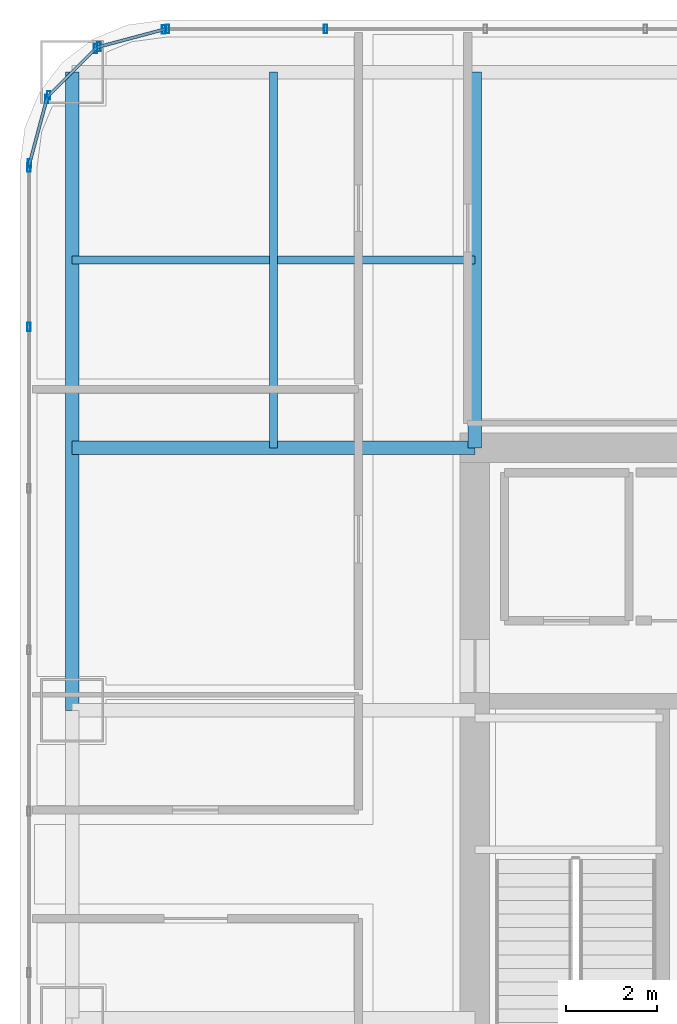
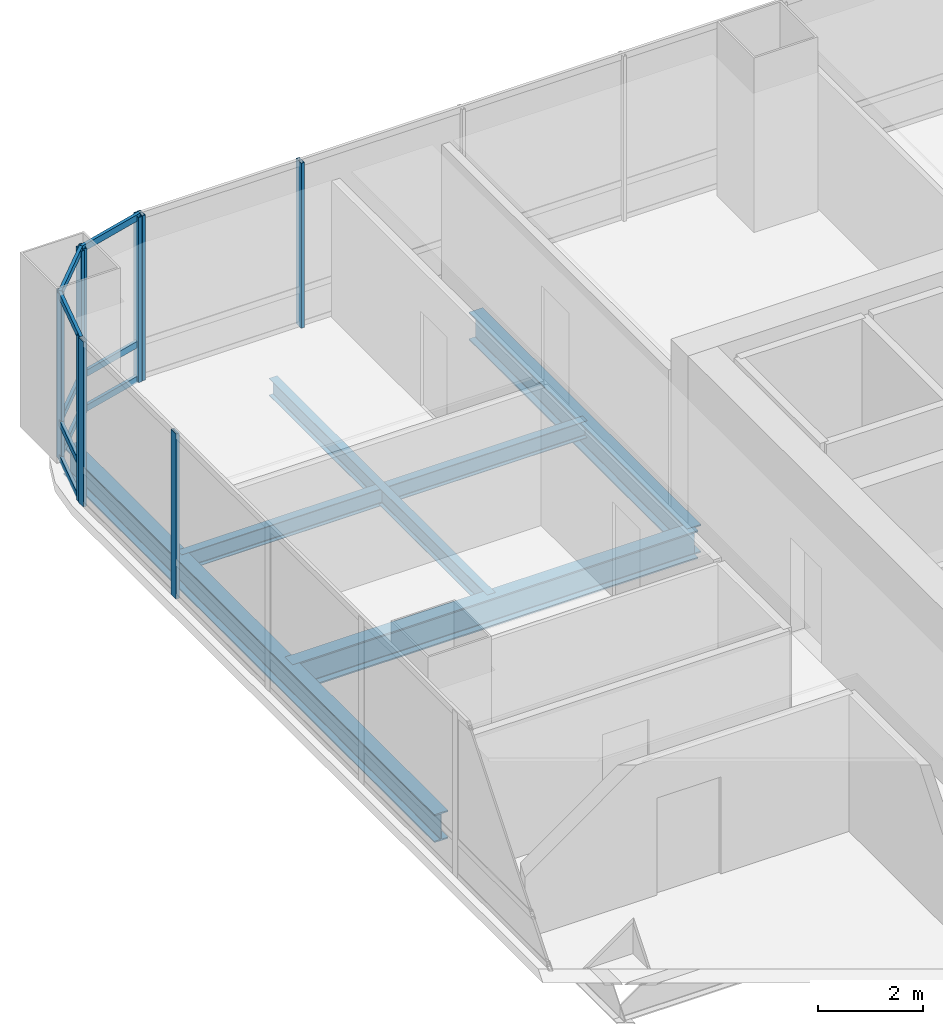
# One storey, part 20 of 36: 19 members, 5 beams, 5 elements without a shape of their own.
"""IFC4 building model written with IfcOpenShell, lengths in metres."""

from ifc_helpers import new_model, si_unit, direction, frame, origin, origin_2d, place, context, subcontext, project, spatial, hollow_rectangle, i_section, extrude, material, material_profile, profile_set, type_object, element, aggregate, save


model = new_model("IFC4")

# Units and contexts
model_context = context("Model", 3, precision=1e-05, world=origin(), true_north=direction((0.0, 1.0)))
body_context = subcontext(model_context, "Body", "Model", "MODEL_VIEW")
ifc_project = project(units=[si_unit("LENGTHUNIT", "METRE"), si_unit("AREAUNIT", "SQUARE_METRE"), si_unit("VOLUMEUNIT", "CUBIC_METRE"), si_unit("PLANEANGLEUNIT", "RADIAN"), si_unit("MASSUNIT", "GRAM", prefix="KILO")], contexts=[model_context])

# Site, building, storey
site_placement = place(None, origin())
site = spatial("IfcSite", under=ifc_project, at=site_placement, CompositionType="ELEMENT")
building_placement = place(site_placement, origin())
building = spatial("IfcBuilding", under=site, at=building_placement, Name="Punatoya Terracotta Tower", CompositionType="ELEMENT")
storey_placement = place(building_placement, frame((0.0, 0.0, 212.699951171875)))
storey = spatial("IfcBuildingStorey", under=building, at=storey_placement, Name="L50", CompositionType="ELEMENT", Elevation=212.699951171875)

# Beams
ifc_material_1 = material(Name="Steel S355", Category="steel")
ifc_material_profile_1 = material_profile(ifc_material_1, i_section(OverallWidth=0.300048828125, OverallDepth=0.64990234375, WebThickness=0.01611328125, FlangeThickness=0.031005859375, FilletRadius=0.01806640625, at=origin_2d()))
ifc_profile_set_1 = profile_set([ifc_material_profile_1], Name="Steel S355")
beam_type_1 = type_object("IfcBeamType", Name="BM-PRI-650", PredefinedType="BEAM", material=ifc_profile_set_1)
beam_1_placement = place(storey_placement, frame((-19.10009765625, 3.39990234375, -0.544921875), z_axis=(0.0, 1.0, 0.0), x_axis=(-1.0, 0.0, 0.0)))
element("IfcBeam", 1, at=beam_1_placement, inside=storey, type_object=beam_type_1, Name="BM-L50-RG-W3", PredefinedType="BEAM", context=body_context, shape_type="SweptSolid", body=[
    extrude(i_section(OverallWidth=0.300048828125, OverallDepth=0.64990234375, WebThickness=0.01611328125, FlangeThickness=0.031005859375, FilletRadius=0.01806640625, at=origin_2d()), origin(), (0.0, 0.0, 1.0), 14.10009765625),
])
beam_2_placement = place(storey_placement, frame((-19.10009765625, 9.199951171875, -0.544921875), z_axis=(1.0, 0.0, 0.0), x_axis=(0.0, 1.0, 0.0)))
element("IfcBeam", 2, at=beam_2_placement, inside=storey, type_object=beam_type_1, Name="BM-L50-PR-WN", PredefinedType="BEAM", context=body_context, shape_type="SweptSolid", body=[
    extrude(i_section(OverallWidth=0.300048828125, OverallDepth=0.64990234375, WebThickness=0.01611328125, FlangeThickness=0.031005859375, FilletRadius=0.01806640625, at=origin_2d()), origin(), (0.0, 0.0, 1.0), 8.900146484375),
])
beam_3_placement = place(storey_placement, frame((-10.199951171875, 9.199951171875, -0.544921875), z_axis=(0.0, 1.0, 0.0), x_axis=(-1.0, 0.0, 0.0)))
element("IfcBeam", 3, at=beam_3_placement, inside=storey, type_object=beam_type_1, Name="BM-L50-PR-N1", PredefinedType="BEAM", context=body_context, shape_type="SweptSolid", body=[
    extrude(i_section(OverallWidth=0.300048828125, OverallDepth=0.64990234375, WebThickness=0.01611328125, FlangeThickness=0.031005859375, FilletRadius=0.01806640625, at=origin_2d()), origin(), (0.0, 0.0, 1.0), 8.300048828125),
])
ifc_material_profile_2 = material_profile(ifc_material_1, i_section(OverallWidth=0.179931640625, OverallDepth=0.39990234375, WebThickness=0.008544921875, FlangeThickness=0.013427734375, FilletRadius=0.01806640625, at=origin_2d()))
ifc_profile_set_2 = profile_set([ifc_material_profile_2], Name="Steel S355")
beam_type_2 = type_object("IfcBeamType", Name="BM-SEC-400", PredefinedType="JOIST", material=ifc_profile_set_2)
beam_4_placement = place(storey_placement, frame((-19.10009765625, 13.35009765625, -0.419921875), z_axis=(1.0, 0.0, 0.0), x_axis=(0.0, 1.0, 0.0)))
element("IfcBeam", 4, at=beam_4_placement, inside=storey, type_object=beam_type_2, Name="BM-L50-SJN-1", PredefinedType="JOIST", context=body_context, shape_type="SweptSolid", body=[
    extrude(i_section(OverallWidth=0.179931640625, OverallDepth=0.39990234375, WebThickness=0.008544921875, FlangeThickness=0.013427734375, FilletRadius=0.01806640625, at=origin_2d()), origin(), (0.0, 0.0, 1.0), 8.900146484375),
])
beam_5_placement = place(storey_placement, frame((-14.64990234375, 9.199951171875, -0.419921875), z_axis=(0.0, 1.0, 0.0), x_axis=(-1.0, 0.0, 0.0)))
element("IfcBeam", 5, at=beam_5_placement, inside=storey, type_object=beam_type_2, Name="BM-L50-SJW-2", PredefinedType="JOIST", context=body_context, shape_type="SweptSolid", body=[
    extrude(i_section(OverallWidth=0.179931640625, OverallDepth=0.39990234375, WebThickness=0.008544921875, FlangeThickness=0.013427734375, FilletRadius=0.01806640625, at=origin_2d()), origin(), (0.0, 0.0, 1.0), 8.300048828125),
])

# Curtain wall, members
ifc_material_2 = material(Name="Aluminium 6063-T6 + Double Low-E Glass", Category="aluminium")
curtain_wall_type = type_object("IfcCurtainWallType", Name="CW-M2", PredefinedType="NOTDEFINED", material=ifc_material_2)
curtain_wall_1_placement = place(storey_placement, origin())
curtain_wall_1 = element("IfcCurtainWall", 6, at=curtain_wall_1_placement, inside=storey, type_object=curtain_wall_type, Name="L50 Curtain Wall CW-L50-N09-1", PredefinedType="NOTDEFINED")
ifc_material_3 = material(Name="Aluminium 6063-T6", Category="aluminium")
ifc_material_profile_3 = material_profile(ifc_material_3, hollow_rectangle(XDim=0.072021484375, YDim=0.195068359375, WallThickness=0.00439453125, at=origin_2d()))
ifc_profile_set_3 = profile_set([ifc_material_profile_3], Name="Aluminium 6063-T6")
member_type_1 = type_object("IfcMemberType", Name="CW-MUL-M2", PredefinedType="MULLION", material=ifc_profile_set_3)
member_1_placement = place(storey_placement, frame((-13.5029296875, 18.449951171875, 0.0), z_axis=(0.0, 0.0, 1.0), x_axis=(1.0, 0.0, 0.0)))
member_1 = element("IfcMember", 7, at=member_1_placement, type_object=member_type_1, Name="CW-L50-N09-1 Mullion 10", PredefinedType="MULLION", context=body_context, shape_type="SweptSolid", body=[
    extrude(hollow_rectangle(XDim=0.072021484375, YDim=0.195068359375, WallThickness=0.00439453125, at=origin_2d()), origin(), (0.0, 0.0, 1.0), 3.830078125),
])
member_2_placement = place(storey_placement, frame((-16.991943359375, 18.449951171875, 0.0), z_axis=(0.0, 0.0, 1.0), x_axis=(1.0, 0.0, 0.0)))
member_2 = element("IfcMember", 8, at=member_2_placement, type_object=member_type_1, Name="CW-L50-N09-1 Mullion 11", PredefinedType="MULLION", context=body_context, shape_type="SweptSolid", body=[
    extrude(hollow_rectangle(XDim=0.072021484375, YDim=0.195068359375, WallThickness=0.00439453125, at=origin_2d()), origin(), (0.0, 0.0, 1.0), 3.830078125),
])
aggregate(curtain_wall_1, [member_1, member_2])

curtain_wall_2_placement = place(storey_placement, origin())
curtain_wall_2 = element("IfcCurtainWall", 9, at=curtain_wall_2_placement, inside=storey, type_object=curtain_wall_type, Name="L50 Curtain Wall CW-L50-CRN10", PredefinedType="NOTDEFINED")
member_3_placement = place(storey_placement, frame((-17.080322265625, 18.4384765625, 0.0), z_axis=(0.0, 0.0, 1.0), x_axis=(1.0, 0.0, 0.0)))
member_3 = element("IfcMember", 10, at=member_3_placement, type_object=member_type_1, Name="CW-L50-CRN10 Mullion 00", PredefinedType="MULLION", context=body_context, shape_type="SweptSolid", body=[
    extrude(hollow_rectangle(XDim=0.072021484375, YDim=0.195068359375, WallThickness=0.00439453125, at=origin_2d()), origin(), (0.0, 0.0, 1.0), 3.830078125),
])
member_4_placement = place(storey_placement, frame((-18.505615234375, 18.05810546875, 0.0), z_axis=(0.0, 0.0, 1.0), x_axis=(1.0, 0.0, 0.0)))
member_4 = element("IfcMember", 11, at=member_4_placement, type_object=member_type_1, Name="CW-L50-CRN10 Mullion 01", PredefinedType="MULLION", context=body_context, shape_type="SweptSolid", body=[
    extrude(hollow_rectangle(XDim=0.072021484375, YDim=0.195068359375, WallThickness=0.00439453125, at=origin_2d()), origin(), (0.0, 0.0, 1.0), 3.830078125),
])

curtain_wall_3_placement = place(storey_placement, origin())
curtain_wall_3 = element("IfcCurtainWall", 12, at=curtain_wall_3_placement, inside=storey, type_object=curtain_wall_type, Name="L50 Curtain Wall CW-L50-CRN11", PredefinedType="NOTDEFINED")
member_5_placement = place(storey_placement, frame((-18.580810546875, 18.014892578125, 0.0), z_axis=(0.0, 0.0, 1.0), x_axis=(1.0, 0.0, 0.0)))
member_5 = element("IfcMember", 13, at=member_5_placement, type_object=member_type_1, Name="CW-L50-CRN11 Mullion 00", PredefinedType="MULLION", context=body_context, shape_type="SweptSolid", body=[
    extrude(hollow_rectangle(XDim=0.072021484375, YDim=0.195068359375, WallThickness=0.00439453125, at=origin_2d()), origin(), (0.0, 0.0, 1.0), 3.830078125),
])
member_6_placement = place(storey_placement, frame((-19.61474609375, 16.98095703125, 0.0), z_axis=(0.0, 0.0, 1.0), x_axis=(1.0, 0.0, 0.0)))
member_6 = element("IfcMember", 14, at=member_6_placement, type_object=member_type_1, Name="CW-L50-CRN11 Mullion 01", PredefinedType="MULLION", context=body_context, shape_type="SweptSolid", body=[
    extrude(hollow_rectangle(XDim=0.072021484375, YDim=0.195068359375, WallThickness=0.00439453125, at=origin_2d()), origin(), (0.0, 0.0, 1.0), 3.830078125),
])

curtain_wall_4_placement = place(storey_placement, origin())
curtain_wall_4 = element("IfcCurtainWall", 15, at=curtain_wall_4_placement, inside=storey, type_object=curtain_wall_type, Name="L50 Curtain Wall CW-L50-CRN12", PredefinedType="NOTDEFINED")
member_7_placement = place(storey_placement, frame((-19.658203125, 16.905517578125, 0.0), z_axis=(0.0, 0.0, 1.0), x_axis=(1.0, 0.0, 0.0)))
member_7 = element("IfcMember", 16, at=member_7_placement, type_object=member_type_1, Name="CW-L50-CRN12 Mullion 00", PredefinedType="MULLION", context=body_context, shape_type="SweptSolid", body=[
    extrude(hollow_rectangle(XDim=0.072021484375, YDim=0.195068359375, WallThickness=0.00439453125, at=origin_2d()), origin(), (0.0, 0.0, 1.0), 3.830078125),
])
member_8_placement = place(storey_placement, frame((-20.038330078125, 15.48046875, 0.0), z_axis=(0.0, 0.0, 1.0), x_axis=(1.0, 0.0, 0.0)))
member_8 = element("IfcMember", 17, at=member_8_placement, type_object=member_type_1, Name="CW-L50-CRN12 Mullion 01", PredefinedType="MULLION", context=body_context, shape_type="SweptSolid", body=[
    extrude(hollow_rectangle(XDim=0.072021484375, YDim=0.195068359375, WallThickness=0.00439453125, at=origin_2d()), origin(), (0.0, 0.0, 1.0), 3.830078125),
])

curtain_wall_5_placement = place(storey_placement, origin())
curtain_wall_5 = element("IfcCurtainWall", 18, at=curtain_wall_5_placement, inside=storey, type_object=curtain_wall_type, Name="L50 Curtain Wall CW-L50-W13-1", PredefinedType="NOTDEFINED")
member_9_placement = place(storey_placement, frame((-20.050048828125, 15.391845703125, 0.0), z_axis=(0.0, 0.0, 1.0), x_axis=(1.0, 0.0, 0.0)))
member_9 = element("IfcMember", 19, at=member_9_placement, type_object=member_type_1, Name="CW-L50-W13-1 Mullion 00", PredefinedType="MULLION", context=body_context, shape_type="SweptSolid", body=[
    extrude(hollow_rectangle(XDim=0.072021484375, YDim=0.195068359375, WallThickness=0.00439453125, at=origin_2d()), origin(), (0.0, 0.0, 1.0), 3.830078125),
])
member_10_placement = place(storey_placement, frame((-20.050048828125, 11.869384765625, 0.0), z_axis=(0.0, 0.0, 1.0), x_axis=(1.0, 0.0, 0.0)))
member_10 = element("IfcMember", 20, at=member_10_placement, type_object=member_type_1, Name="CW-L50-W13-1 Mullion 01", PredefinedType="MULLION", context=body_context, shape_type="SweptSolid", body=[
    extrude(hollow_rectangle(XDim=0.072021484375, YDim=0.195068359375, WallThickness=0.00439453125, at=origin_2d()), origin(), (0.0, 0.0, 1.0), 3.830078125),
])
aggregate(curtain_wall_5, [member_9, member_10])

# Member
ifc_material_profile_4 = material_profile(ifc_material_3, hollow_rectangle(XDim=0.068115234375, YDim=0.14990234375, WallThickness=0.00390625, at=origin_2d()))
ifc_profile_set_4 = profile_set([ifc_material_profile_4], Name="Aluminium 6063-T6")
member_type_2 = type_object("IfcMemberType", Name="CW-TRN-TYP", PredefinedType="USERDEFINED", material=ifc_profile_set_4)
member_11_placement = place(storey_placement, frame((-17.036865234375, 18.449951171875, 0.0400390625), z_axis=(-0.966224582397, -0.257701486942, 0.0), x_axis=(0.257701486942, -0.966224582397, 0.0)))
member_11 = element("IfcMember", 21, at=member_11_placement, type_object=member_type_2, Name="CW-L50-CRN10 Transom 1", ObjectType="TRANSOM", PredefinedType="USERDEFINED", context=body_context, shape_type="SweptSolid", body=[
    extrude(hollow_rectangle(XDim=0.068115234375, YDim=0.14990234375, WallThickness=0.00390625, at=origin_2d()), origin(), (0.0, 0.0, 1.0), 1.565185546875),
])

member_12_placement = place(storey_placement, frame((-17.036865234375, 18.449951171875, 0.85009765625), z_axis=(-0.966224582397, -0.257701486942, 0.0), x_axis=(0.257701486942, -0.966224582397, 0.0)))
member_12 = element("IfcMember", 22, at=member_12_placement, type_object=member_type_2, Name="CW-L50-CRN10 Transom 2", ObjectType="TRANSOM", PredefinedType="USERDEFINED", context=body_context, shape_type="SweptSolid", body=[
    extrude(hollow_rectangle(XDim=0.068115234375, YDim=0.14990234375, WallThickness=0.00390625, at=origin_2d()), origin(), (0.0, 0.0, 1.0), 1.565185546875),
])

member_13_placement = place(storey_placement, frame((-17.036865234375, 18.449951171875, 3.7900390625), z_axis=(-0.966224582397, -0.257701486942, 0.0), x_axis=(0.257701486942, -0.966224582397, 0.0)))
member_13 = element("IfcMember", 23, at=member_13_placement, type_object=member_type_2, Name="CW-L50-CRN10 Transom 3", ObjectType="TRANSOM", PredefinedType="USERDEFINED", context=body_context, shape_type="SweptSolid", body=[
    extrude(hollow_rectangle(XDim=0.068115234375, YDim=0.14990234375, WallThickness=0.00390625, at=origin_2d()), origin(), (0.0, 0.0, 1.0), 1.565185546875),
])

aggregate(curtain_wall_2, [member_3, member_4, member_11, member_12, member_13])

member_14_placement = place(storey_placement, frame((-18.549072265625, 18.046630859375, 0.0400390625), z_axis=(-0.707106781187, -0.707106781187, 0.0), x_axis=(0.707106781187, -0.707106781187, 0.0)))
member_14 = element("IfcMember", 24, at=member_14_placement, type_object=member_type_2, Name="CW-L50-CRN11 Transom 1", ObjectType="TRANSOM", PredefinedType="USERDEFINED", context=body_context, shape_type="SweptSolid", body=[
    extrude(hollow_rectangle(XDim=0.068115234375, YDim=0.14990234375, WallThickness=0.00390625, at=origin_2d()), origin(), (0.0, 0.0, 1.0), 1.552001953125),
])

member_15_placement = place(storey_placement, frame((-18.549072265625, 18.046630859375, 0.85009765625), z_axis=(-0.707106781187, -0.707106781187, 0.0), x_axis=(0.707106781187, -0.707106781187, 0.0)))
member_15 = element("IfcMember", 25, at=member_15_placement, type_object=member_type_2, Name="CW-L50-CRN11 Transom 2", ObjectType="TRANSOM", PredefinedType="USERDEFINED", context=body_context, shape_type="SweptSolid", body=[
    extrude(hollow_rectangle(XDim=0.068115234375, YDim=0.14990234375, WallThickness=0.00390625, at=origin_2d()), origin(), (0.0, 0.0, 1.0), 1.552001953125),
])

member_16_placement = place(storey_placement, frame((-18.549072265625, 18.046630859375, 3.7900390625), z_axis=(-0.707106781187, -0.707106781187, 0.0), x_axis=(0.707106781187, -0.707106781187, 0.0)))
member_16 = element("IfcMember", 26, at=member_16_placement, type_object=member_type_2, Name="CW-L50-CRN11 Transom 3", ObjectType="TRANSOM", PredefinedType="USERDEFINED", context=body_context, shape_type="SweptSolid", body=[
    extrude(hollow_rectangle(XDim=0.068115234375, YDim=0.14990234375, WallThickness=0.00390625, at=origin_2d()), origin(), (0.0, 0.0, 1.0), 1.552001953125),
])

aggregate(curtain_wall_3, [member_5, member_6, member_14, member_15, member_16])

member_17_placement = place(storey_placement, frame((-19.646484375, 16.94921875, 0.0400390625), z_axis=(-0.257847112249, -0.966185730957, 0.0), x_axis=(0.966185730957, -0.257847112249, 0.0)))
member_17 = element("IfcMember", 27, at=member_17_placement, type_object=member_type_2, Name="CW-L50-CRN12 Transom 1", ObjectType="TRANSOM", PredefinedType="USERDEFINED", context=body_context, shape_type="SweptSolid", body=[
    extrude(hollow_rectangle(XDim=0.068115234375, YDim=0.14990234375, WallThickness=0.00390625, at=origin_2d()), origin(), (0.0, 0.0, 1.0), 1.565185546875),
])

member_18_placement = place(storey_placement, frame((-19.646484375, 16.94921875, 0.85009765625), z_axis=(-0.257847112249, -0.966185730957, 0.0), x_axis=(0.966185730957, -0.257847112249, 0.0)))
member_18 = element("IfcMember", 28, at=member_18_placement, type_object=member_type_2, Name="CW-L50-CRN12 Transom 2", ObjectType="TRANSOM", PredefinedType="USERDEFINED", context=body_context, shape_type="SweptSolid", body=[
    extrude(hollow_rectangle(XDim=0.068115234375, YDim=0.14990234375, WallThickness=0.00390625, at=origin_2d()), origin(), (0.0, 0.0, 1.0), 1.565185546875),
])

member_19_placement = place(storey_placement, frame((-19.646484375, 16.94921875, 3.7900390625), z_axis=(-0.257847112249, -0.966185730957, 0.0), x_axis=(0.966185730957, -0.257847112249, 0.0)))
member_19 = element("IfcMember", 29, at=member_19_placement, type_object=member_type_2, Name="CW-L50-CRN12 Transom 3", ObjectType="TRANSOM", PredefinedType="USERDEFINED", context=body_context, shape_type="SweptSolid", body=[
    extrude(hollow_rectangle(XDim=0.068115234375, YDim=0.14990234375, WallThickness=0.00390625, at=origin_2d()), origin(), (0.0, 0.0, 1.0), 1.565185546875),
])

aggregate(curtain_wall_4, [member_7, member_8, member_17, member_18, member_19])

save(model, "model.ifc")
